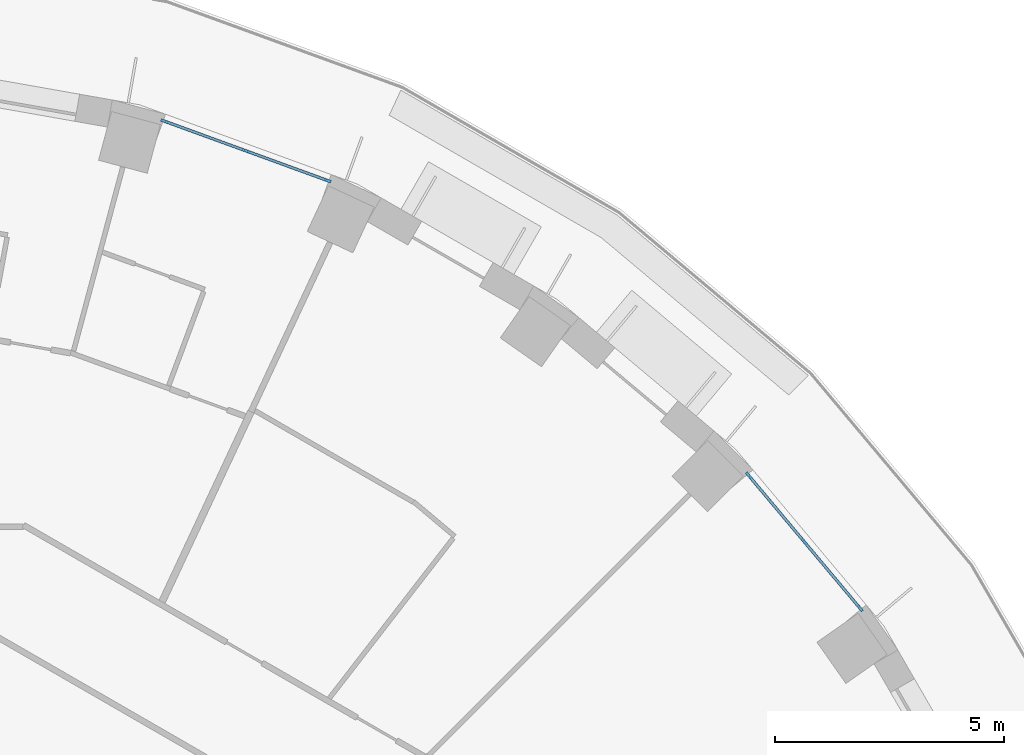
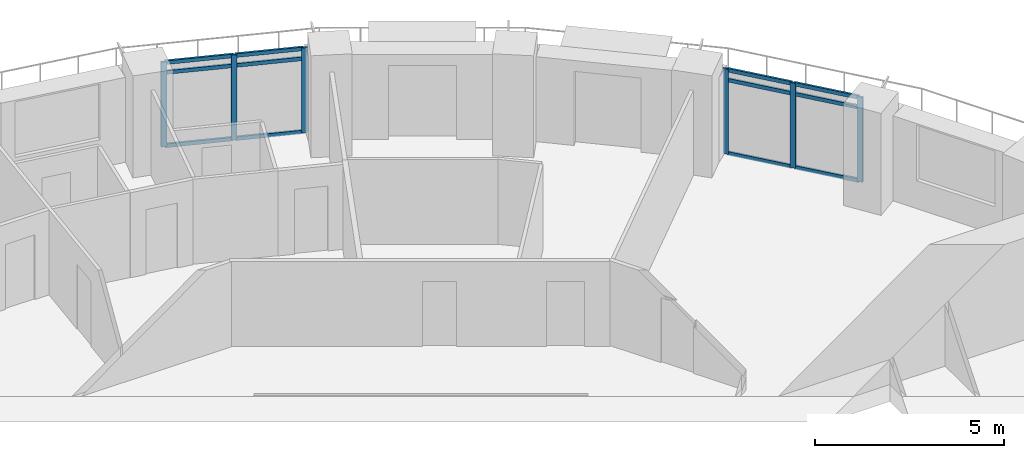
# One storey, part 2 of 15: 18 members, 2 elements without a shape of their own.
"""IFC4 building model written with IfcOpenShell, lengths in metres."""

import ifcopenshell
import ifcopenshell.guid

model = None  # the IFC model being written
_history = None  # IfcOwnerHistory: only IFC2X3 demands one
_inside = {}  # id of a spatial element -> (the spatial element, [elements in it])
_under = {}  # id of a project, library or spatial element -> (it, [spatial elements below it])
_declared = {}  # id of a project -> (the project, [libraries it declares])
_typed = {}  # id of a type object -> (the type object, [elements of that type])
_made_of = {}  # id of a material, layer set ... -> (it, [elements and type objects made of it])


def new_model(schema):
    """Start an empty IFC model of exactly this schema.

    Asked for "IFC4X3", IfcOpenShell would pick the latest addendum, in which some entities
    have other attributes; the version numbers below select the first issue.
    IFC2X3 requires an IfcOwnerHistory on every rooted entity: one is made here for all.
    """
    global model, _history
    if schema == "IFC4X3":
        model = ifcopenshell.file(schema_version=(4, 3, 0, 0))
    else:
        model = ifcopenshell.file(schema=schema)
    _inside.clear()
    _under.clear()
    _declared.clear()
    _typed.clear()
    _made_of.clear()
    _history = None
    if model.schema == "IFC2X3":
        org = make("IfcOrganization", Name="unknown")
        user = make(
            "IfcPersonAndOrganization",
            ThePerson=make("IfcPerson", FamilyName="unknown"),
            TheOrganization=org,
        )
        app = make(
            "IfcApplication",
            ApplicationDeveloper=org,
            Version="unknown",
            ApplicationFullName="unknown",
            ApplicationIdentifier="unknown",
        )
        _history = make(
            "IfcOwnerHistory",
            OwningUser=user,
            OwningApplication=app,
            ChangeAction="ADDED",
            CreationDate=0,
        )
    return model


def make(cls, **values):
    """One entity of the class cls with the attributes given. An attribute that is None is left unset."""
    return model.create_entity(
        cls, **{name: value for name, value in values.items() if value is not None}
    )


def rooted(cls, **values):
    """An entity with a GlobalId (a new one), such as an element, a storey or a relation."""
    return make(cls, GlobalId=ifcopenshell.guid.new(), OwnerHistory=_history, **values)


def si_unit(unit_type, name, prefix=None):
    """IfcSIUnit, for example si_unit("LENGTHUNIT", "METRE", prefix="MILLI")."""
    return make("IfcSIUnit", UnitType=unit_type, Prefix=prefix, Name=name)


def assignment(units):
    """IfcUnitAssignment: the units of a project."""
    return None if units is None else make("IfcUnitAssignment", Units=units)


def point(xyz):
    """IfcCartesianPoint."""
    return None if xyz is None else make("IfcCartesianPoint", Coordinates=xyz)


def direction(xyz):
    """IfcDirection."""
    return None if xyz is None else make("IfcDirection", DirectionRatios=xyz)


def frame(location, z_axis=None, x_axis=None):
    """IfcAxis2Placement3D, a coordinate frame: its origin and axes. An axis left out is left unset."""
    return make(
        "IfcAxis2Placement3D",
        Location=point(location),
        Axis=direction(z_axis),
        RefDirection=direction(x_axis),
    )


def frame_2d(location, x_axis=None):
    """IfcAxis2Placement2D, a coordinate frame in the plane: its origin and x axis."""
    return make(
        "IfcAxis2Placement2D", Location=point(location), RefDirection=direction(x_axis)
    )


def origin():
    """The frame at (0, 0, 0) with its axes left unset."""
    return frame((0.0, 0.0, 0.0))


def origin_2d():
    """The frame at (0, 0) in the plane with its x axis left unset."""
    return frame_2d((0.0, 0.0))


def place(relative_to, where):
    """IfcLocalPlacement: puts the frame where relative to a parent placement (None: the world)."""
    return make(
        "IfcLocalPlacement", PlacementRelTo=relative_to, RelativePlacement=where
    )


def context(
    kind, dimensions, precision=None, world=None, true_north=None, identifier=None
):
    """IfcGeometricRepresentationContext, for example the 3D "Model" context."""
    return make(
        "IfcGeometricRepresentationContext",
        ContextIdentifier=identifier,
        ContextType=kind,
        CoordinateSpaceDimension=dimensions,
        Precision=precision,
        WorldCoordinateSystem=world,
        TrueNorth=true_north,
    )


def subcontext(parent, identifier, kind, view, scale=None):
    """IfcGeometricRepresentationSubContext, for example "Body" below "Model"."""
    return make(
        "IfcGeometricRepresentationSubContext",
        ContextIdentifier=identifier,
        ContextType=kind,
        ParentContext=parent,
        TargetScale=scale,
        TargetView=view,
    )


def project(units=None, contexts=None):
    """IfcProject with its units and contexts."""
    return rooted(
        "IfcProject",
        Name="project",
        RepresentationContexts=contexts,
        UnitsInContext=assignment(units),
    )


def spatial(cls, under=None, at=None, **own):
    """A site, building, storey or space (cls), placed at a placement, below another one or the project."""
    s = rooted(cls, ObjectPlacement=at, **own)
    if under is not None:
        _under.setdefault(under.id(), (under, []))[1].append(s)
    return s


def profile(cls, at=None, kind="AREA", **sizes):
    """A parametric profile (cls). Its sizes go by their IFC names, for example OverallWidth=200.0."""
    return make(cls, ProfileType=kind, Position=at, **sizes)


def rectangle(**sizes):
    """IfcRectangleProfileDef."""
    return profile("IfcRectangleProfileDef", **sizes)


def extrude(swept, where, along, depth):
    """IfcExtrudedAreaSolid: the profile swept, set in the frame where, extruded along a direction by depth."""
    return make(
        "IfcExtrudedAreaSolid",
        SweptArea=swept,
        Position=where,
        ExtrudedDirection=direction(along),
        Depth=depth,
    )


def shape(context_of_items, identifier, shape_type, items):
    """IfcShapeRepresentation: the items that make up one representation, for example the "Body"."""
    return make(
        "IfcShapeRepresentation",
        ContextOfItems=context_of_items,
        RepresentationIdentifier=identifier,
        RepresentationType=shape_type,
        Items=items,
    )


def material(Name=None, Category=None):
    """IfcMaterial."""
    return make("IfcMaterial", Name=Name, Category=Category)


def layer(
    of_material, thickness, ventilated=None, Name=None, Category=None, Priority=None
):
    """IfcMaterialLayer: one layer of a wall or slab, of a material (None: an air gap)."""
    return make(
        "IfcMaterialLayer",
        Material=of_material,
        LayerThickness=thickness,
        IsVentilated=ventilated,
        Name=Name,
        Category=Category,
        Priority=Priority,
    )


def layer_set(layers, Name=None):
    """IfcMaterialLayerSet."""
    return make("IfcMaterialLayerSet", MaterialLayers=layers, LayerSetName=Name)


def material_profile(
    of_material, cross_section, Name=None, Category=None, Priority=None
):
    """IfcMaterialProfile: a cross section and its material."""
    return make(
        "IfcMaterialProfile",
        Name=Name,
        Material=of_material,
        Profile=cross_section,
        Priority=Priority,
        Category=Category,
    )


def profile_set(profiles, Name=None, composite=None):
    """IfcMaterialProfileSet."""
    return make(
        "IfcMaterialProfileSet",
        Name=Name,
        MaterialProfiles=profiles,
        CompositeProfile=composite,
    )


def made_of(thing, what):
    """Note that an element or type object is made of a material, layer set ...; save() writes the relation."""
    if what is not None:
        _made_of.setdefault(what.id(), (what, []))[1].append(thing)
    return thing


def type_object(cls, material=None, **own):
    """A type object (cls), such as IfcWallType, which elements share."""
    return made_of(rooted(cls, **own), material)


def element(
    cls,
    number,
    at=None,
    inside=None,
    cuts=None,
    type_object=None,
    material=None,
    context=None,
    identifier="Body",
    shape_type=None,
    held_by="IfcProductDefinitionShape",
    body=None,
    shapes=None,
    **own,
):
    """One element of the class cls, such as IfcWall. Its Tag is "e" and its number.

    at: its placement. inside: the storey or other place that contains it. cuts: it is an
    opening in that element (IfcRelVoidsElement). A single representation is given by context,
    identifier, shape_type and body (its items); several are given by shapes. held_by: the class
    of the entity that holds the representations. save() writes the other relations.
    """
    e = rooted(cls, Tag="e%d" % number, ObjectPlacement=at, **own)
    if body is not None:
        shapes = [shape(context, identifier, shape_type, body)]
    if shapes is not None:
        e.Representation = make(held_by, Representations=shapes)
    if inside is not None:
        _inside.setdefault(inside.id(), (inside, []))[1].append(e)
    if cuts is not None:
        rooted(
            "IfcRelVoidsElement", RelatingBuildingElement=cuts, RelatedOpeningElement=e
        )
    if type_object is not None:
        _typed.setdefault(type_object.id(), (type_object, []))[1].append(e)
    return made_of(e, material)


def aggregate(whole, parts):
    """IfcRelAggregates: a whole, such as a stair, and the parts it consists of."""
    return rooted("IfcRelAggregates", RelatingObject=whole, RelatedObjects=parts)


def save(model, path):
    """Write the relations noted so far, then the file.

    IfcRelAggregates (storeys below a building ...), IfcRelContainedInSpatialStructure (elements
    in a storey), IfcRelDefinesByType, IfcRelAssociatesMaterial and IfcRelDeclares: one each for
    every whole, place, type object, material and project.
    """
    for whole, parts in _under.values():
        aggregate(whole, parts)
    for where, things in _inside.values():
        rooted(
            "IfcRelContainedInSpatialStructure",
            RelatedElements=things,
            RelatingStructure=where,
        )
    for kind, things in _typed.values():
        rooted("IfcRelDefinesByType", RelatedObjects=things, RelatingType=kind)
    for what, things in _made_of.values():
        rooted("IfcRelAssociatesMaterial", RelatedObjects=things, RelatingMaterial=what)
    for by, libraries in _declared.values():
        rooted("IfcRelDeclares", RelatingContext=by, RelatedDefinitions=libraries)
    model.write(path)


model = new_model("IFC4")

# Units and contexts
model_context = context("Model", 3, precision=1e-05, world=origin(), true_north=direction((0.0, 1.0)))
body_context = subcontext(model_context, "Body", "Model", "MODEL_VIEW")
ifc_project = project(units=[si_unit("LENGTHUNIT", "METRE"), si_unit("AREAUNIT", "SQUARE_METRE"), si_unit("VOLUMEUNIT", "CUBIC_METRE"), si_unit("PLANEANGLEUNIT", "RADIAN"), si_unit("MASSUNIT", "GRAM", prefix="KILO")], contexts=[model_context])

# Site, building, storey
site_placement = place(None, origin())
site = spatial("IfcSite", under=ifc_project, at=site_placement, CompositionType="ELEMENT")
building_placement = place(site_placement, origin())
building = spatial("IfcBuilding", under=site, at=building_placement, Name="Saqina Gate Tower", CompositionType="ELEMENT")
storey_placement = place(building_placement, frame((0.0, 0.0, 69.199951171875)))
storey = spatial("IfcBuildingStorey", under=building, at=storey_placement, Name="L19", CompositionType="ELEMENT", Elevation=69.199951171875)

# Curtain wall, members
ifc_material_1 = material(Name="Aluminium glazing", Category="aluminium")
ifc_layer = layer(ifc_material_1, 0.159912109375)
ifc_layer_set = layer_set([ifc_layer], Name="CWT-4")
curtain_wall_type = type_object("IfcCurtainWallType", Name="CWT-4", PredefinedType="NOTDEFINED", material=ifc_layer_set)
curtain_wall_1_placement = place(storey_placement, origin())
curtain_wall_1 = element("IfcCurtainWall", 1, at=curtain_wall_1_placement, inside=storey, type_object=curtain_wall_type, Name="Terrace lounge glazing facet 4", PredefinedType="NOTDEFINED")
ifc_material_2 = material(Name="Aluminium", Category="aluminium")
ifc_material_profile_1 = material_profile(ifc_material_2, rectangle(XDim=0.06005859375, YDim=0.159912109375, at=origin_2d()), Name="Aluminium 60x160")
ifc_profile_set_1 = profile_set([ifc_material_profile_1], Name="Aluminium")
member_type_1 = type_object("IfcMemberType", Name="CWT-4M", PredefinedType="MULLION", material=ifc_profile_set_1)
member_1_placement = place(storey_placement, frame((23.232666015625, 17.0234375, 0.0), z_axis=(0.0, 0.0, 1.0), x_axis=(-0.766040784332, -0.642791970033, 0.0)))
member_1 = element("IfcMember", 2, at=member_1_placement, type_object=member_type_1, Name="CW4-04 mullion 1", PredefinedType="MULLION", context=body_context, shape_type="SweptSolid", body=[
    extrude(rectangle(XDim=0.06005859375, YDim=0.159912109375, at=origin_2d()), origin(), (0.0, 0.0, 1.0), 2.75),
])
member_2_placement = place(storey_placement, frame((22.015869140625, 18.473388671875, 0.0), z_axis=(0.0, 0.0, 1.0), x_axis=(-0.766040784332, -0.642791970033, 0.0)))
member_2 = element("IfcMember", 3, at=member_2_placement, type_object=member_type_1, Name="CW4-04 mullion 2", PredefinedType="MULLION", context=body_context, shape_type="SweptSolid", body=[
    extrude(rectangle(XDim=0.06005859375, YDim=0.159912109375, at=origin_2d()), origin(), (0.0, 0.0, 1.0), 2.75),
])
member_3_placement = place(storey_placement, frame((20.799072265625, 19.923583984375, 0.0), z_axis=(0.0, 0.0, 1.0), x_axis=(-0.766040784332, -0.642791970033, 0.0)))
member_3 = element("IfcMember", 4, at=member_3_placement, type_object=member_type_1, Name="CW4-04 mullion 3", PredefinedType="MULLION", context=body_context, shape_type="SweptSolid", body=[
    extrude(rectangle(XDim=0.06005859375, YDim=0.159912109375, at=origin_2d()), origin(), (0.0, 0.0, 1.0), 2.75),
])

curtain_wall_2_placement = place(storey_placement, origin())
curtain_wall_2 = element("IfcCurtainWall", 5, at=curtain_wall_2_placement, inside=storey, type_object=curtain_wall_type, Name="Terrace lounge glazing facet 7", PredefinedType="NOTDEFINED")
member_4_placement = place(storey_placement, frame((11.6083984375, 26.359130859375, 0.0), z_axis=(0.0, 0.0, 1.0), x_axis=(-0.34200819699, -0.939696968811, 0.0)))
member_4 = element("IfcMember", 6, at=member_4_placement, type_object=member_type_1, Name="CW4-07 mullion 1", PredefinedType="MULLION", context=body_context, shape_type="SweptSolid", body=[
    extrude(rectangle(XDim=0.06005859375, YDim=0.159912109375, at=origin_2d()), origin(), (0.0, 0.0, 1.0), 2.75),
])
member_5_placement = place(storey_placement, frame((9.82958984375, 27.00634765625, 0.0), z_axis=(0.0, 0.0, 1.0), x_axis=(-0.34200819699, -0.939696968811, 0.0)))
member_5 = element("IfcMember", 7, at=member_5_placement, type_object=member_type_1, Name="CW4-07 mullion 2", PredefinedType="MULLION", context=body_context, shape_type="SweptSolid", body=[
    extrude(rectangle(XDim=0.06005859375, YDim=0.159912109375, at=origin_2d()), origin(), (0.0, 0.0, 1.0), 2.75),
])
member_6_placement = place(storey_placement, frame((8.05078125, 27.65380859375, 0.0), z_axis=(0.0, 0.0, 1.0), x_axis=(-0.34200819699, -0.939696968811, 0.0)))
member_6 = element("IfcMember", 8, at=member_6_placement, type_object=member_type_1, Name="CW4-07 mullion 3", PredefinedType="MULLION", context=body_context, shape_type="SweptSolid", body=[
    extrude(rectangle(XDim=0.06005859375, YDim=0.159912109375, at=origin_2d()), origin(), (0.0, 0.0, 1.0), 2.75),
])

# Member
ifc_material_3 = material(Name="Aluminium", Category="aluminium")
ifc_material_profile_2 = material_profile(ifc_material_3, rectangle(XDim=0.06005859375, YDim=0.1201171875, at=origin_2d()), Name="Aluminium 60x120")
ifc_profile_set_2 = profile_set([ifc_material_profile_2], Name="Aluminium")
member_type_2 = type_object("IfcMemberType", Name="CWT-4T", PredefinedType="USERDEFINED", material=ifc_profile_set_2)
member_7_placement = place(storey_placement, frame((23.21337890625, 17.04638671875, 0.030029296875), z_axis=(-0.642814030336, 0.766022272785, 0.0), x_axis=(-0.766022272785, -0.642814030336, 0.0)))
member_7 = element("IfcMember", 9, at=member_7_placement, type_object=member_type_2, Name="CW4-04 transom 1.1", ObjectType="TRANSOM", PredefinedType="USERDEFINED", context=body_context, shape_type="SweptSolid", body=[
    extrude(rectangle(XDim=0.06005859375, YDim=0.1201171875, at=origin_2d()), origin(), (0.0, 0.0, 1.0), 1.8330078125),
])

member_8_placement = place(storey_placement, frame((23.21337890625, 17.04638671875, 2.400146484375), z_axis=(-0.642814030336, 0.766022272785, 0.0), x_axis=(-0.766022272785, -0.642814030336, 0.0)))
member_8 = element("IfcMember", 10, at=member_8_placement, type_object=member_type_2, Name="CW4-04 transom 1.2", ObjectType="TRANSOM", PredefinedType="USERDEFINED", context=body_context, shape_type="SweptSolid", body=[
    extrude(rectangle(XDim=0.06005859375, YDim=0.1201171875, at=origin_2d()), origin(), (0.0, 0.0, 1.0), 1.8330078125),
])

member_9_placement = place(storey_placement, frame((23.21337890625, 17.04638671875, 2.719970703125), z_axis=(-0.642814030336, 0.766022272785, 0.0), x_axis=(-0.766022272785, -0.642814030336, 0.0)))
member_9 = element("IfcMember", 11, at=member_9_placement, type_object=member_type_2, Name="CW4-04 transom 1.3", ObjectType="TRANSOM", PredefinedType="USERDEFINED", context=body_context, shape_type="SweptSolid", body=[
    extrude(rectangle(XDim=0.06005859375, YDim=0.1201171875, at=origin_2d()), origin(), (0.0, 0.0, 1.0), 1.8330078125),
])

member_10_placement = place(storey_placement, frame((21.99658203125, 18.496337890625, 0.030029296875), z_axis=(-0.642748446614, 0.766077303133, 0.0), x_axis=(-0.766077303133, -0.642748446614, 0.0)))
member_10 = element("IfcMember", 12, at=member_10_placement, type_object=member_type_2, Name="CW4-04 transom 2.1", ObjectType="TRANSOM", PredefinedType="USERDEFINED", context=body_context, shape_type="SweptSolid", body=[
    extrude(rectangle(XDim=0.06005859375, YDim=0.1201171875, at=origin_2d()), origin(), (0.0, 0.0, 1.0), 1.8330078125),
])

member_11_placement = place(storey_placement, frame((21.99658203125, 18.496337890625, 2.400146484375), z_axis=(-0.642748446614, 0.766077303133, 0.0), x_axis=(-0.766077303133, -0.642748446614, 0.0)))
member_11 = element("IfcMember", 13, at=member_11_placement, type_object=member_type_2, Name="CW4-04 transom 2.2", ObjectType="TRANSOM", PredefinedType="USERDEFINED", context=body_context, shape_type="SweptSolid", body=[
    extrude(rectangle(XDim=0.06005859375, YDim=0.1201171875, at=origin_2d()), origin(), (0.0, 0.0, 1.0), 1.8330078125),
])

member_12_placement = place(storey_placement, frame((21.99658203125, 18.496337890625, 2.719970703125), z_axis=(-0.642748446614, 0.766077303133, 0.0), x_axis=(-0.766077303133, -0.642748446614, 0.0)))
member_12 = element("IfcMember", 14, at=member_12_placement, type_object=member_type_2, Name="CW4-04 transom 2.3", ObjectType="TRANSOM", PredefinedType="USERDEFINED", context=body_context, shape_type="SweptSolid", body=[
    extrude(rectangle(XDim=0.06005859375, YDim=0.1201171875, at=origin_2d()), origin(), (0.0, 0.0, 1.0), 1.8330078125),
])

aggregate(curtain_wall_1, [member_1, member_2, member_3, member_7, member_8, member_9, member_10, member_11, member_12])

member_13_placement = place(storey_placement, frame((11.580078125, 26.369384765625, 0.030029296875), z_axis=(-0.939727291942, 0.34192487008, 0.0), x_axis=(-0.34192487008, -0.939727291942, 0.0)))
member_13 = element("IfcMember", 15, at=member_13_placement, type_object=member_type_2, Name="CW4-07 transom 1.1", ObjectType="TRANSOM", PredefinedType="USERDEFINED", context=body_context, shape_type="SweptSolid", body=[
    extrude(rectangle(XDim=0.06005859375, YDim=0.1201171875, at=origin_2d()), origin(), (0.0, 0.0, 1.0), 1.832763671875),
])

member_14_placement = place(storey_placement, frame((11.580078125, 26.369384765625, 2.400146484375), z_axis=(-0.939727291942, 0.34192487008, 0.0), x_axis=(-0.34192487008, -0.939727291942, 0.0)))
member_14 = element("IfcMember", 16, at=member_14_placement, type_object=member_type_2, Name="CW4-07 transom 1.2", ObjectType="TRANSOM", PredefinedType="USERDEFINED", context=body_context, shape_type="SweptSolid", body=[
    extrude(rectangle(XDim=0.06005859375, YDim=0.1201171875, at=origin_2d()), origin(), (0.0, 0.0, 1.0), 1.832763671875),
])

member_15_placement = place(storey_placement, frame((11.580078125, 26.369384765625, 2.719970703125), z_axis=(-0.939727291942, 0.34192487008, 0.0), x_axis=(-0.34192487008, -0.939727291942, 0.0)))
member_15 = element("IfcMember", 17, at=member_15_placement, type_object=member_type_2, Name="CW4-07 transom 1.3", ObjectType="TRANSOM", PredefinedType="USERDEFINED", context=body_context, shape_type="SweptSolid", body=[
    extrude(rectangle(XDim=0.06005859375, YDim=0.1201171875, at=origin_2d()), origin(), (0.0, 0.0, 1.0), 1.832763671875),
])

member_16_placement = place(storey_placement, frame((9.80126953125, 27.0166015625, 0.030029296875), z_axis=(-0.939668901449, 0.342085304639, 0.0), x_axis=(-0.342085304639, -0.939668901449, 0.0)))
member_16 = element("IfcMember", 18, at=member_16_placement, type_object=member_type_2, Name="CW4-07 transom 2.1", ObjectType="TRANSOM", PredefinedType="USERDEFINED", context=body_context, shape_type="SweptSolid", body=[
    extrude(rectangle(XDim=0.06005859375, YDim=0.1201171875, at=origin_2d()), origin(), (0.0, 0.0, 1.0), 1.832763671875),
])

member_17_placement = place(storey_placement, frame((9.80126953125, 27.0166015625, 2.400146484375), z_axis=(-0.939668901449, 0.342085304639, 0.0), x_axis=(-0.342085304639, -0.939668901449, 0.0)))
member_17 = element("IfcMember", 19, at=member_17_placement, type_object=member_type_2, Name="CW4-07 transom 2.2", ObjectType="TRANSOM", PredefinedType="USERDEFINED", context=body_context, shape_type="SweptSolid", body=[
    extrude(rectangle(XDim=0.06005859375, YDim=0.1201171875, at=origin_2d()), origin(), (0.0, 0.0, 1.0), 1.832763671875),
])

member_18_placement = place(storey_placement, frame((9.80126953125, 27.0166015625, 2.719970703125), z_axis=(-0.939668901449, 0.342085304639, 0.0), x_axis=(-0.342085304639, -0.939668901449, 0.0)))
member_18 = element("IfcMember", 20, at=member_18_placement, type_object=member_type_2, Name="CW4-07 transom 2.3", ObjectType="TRANSOM", PredefinedType="USERDEFINED", context=body_context, shape_type="SweptSolid", body=[
    extrude(rectangle(XDim=0.06005859375, YDim=0.1201171875, at=origin_2d()), origin(), (0.0, 0.0, 1.0), 1.832763671875),
])

aggregate(curtain_wall_2, [member_4, member_5, member_6, member_13, member_14, member_15, member_16, member_17, member_18])

save(model, "model.ifc")
